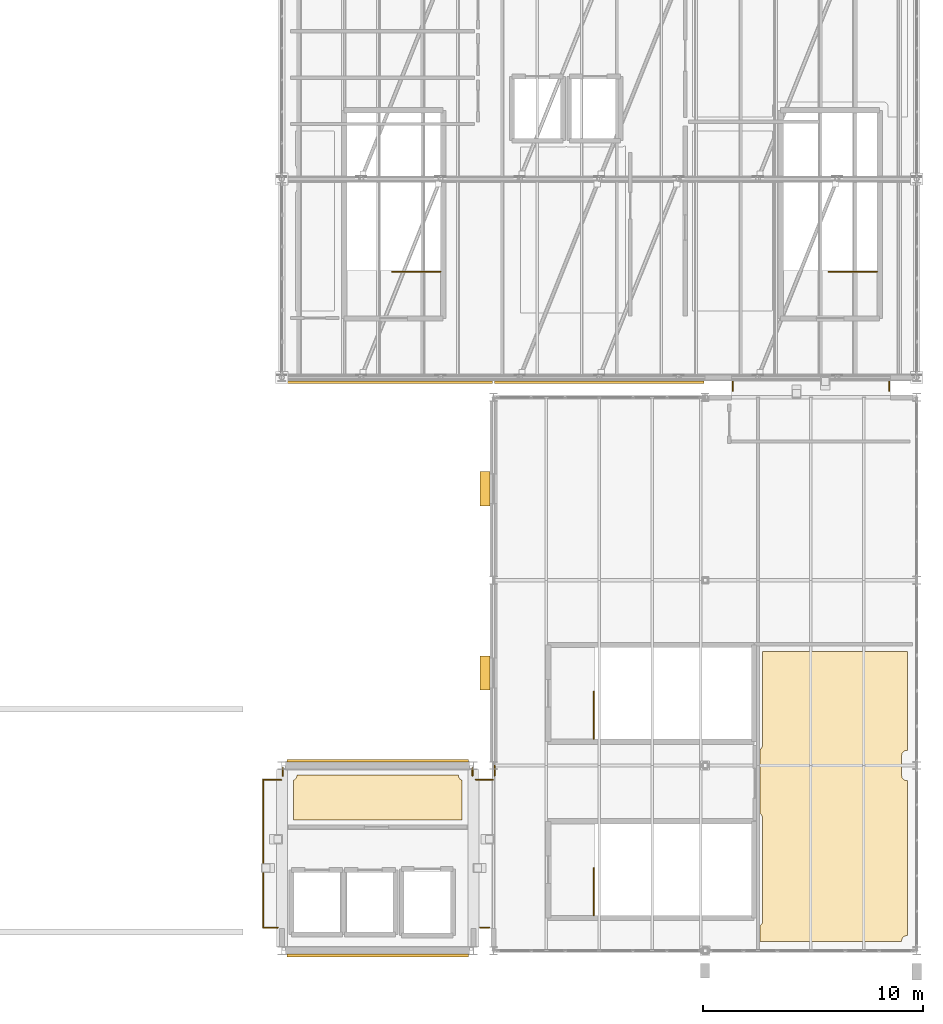
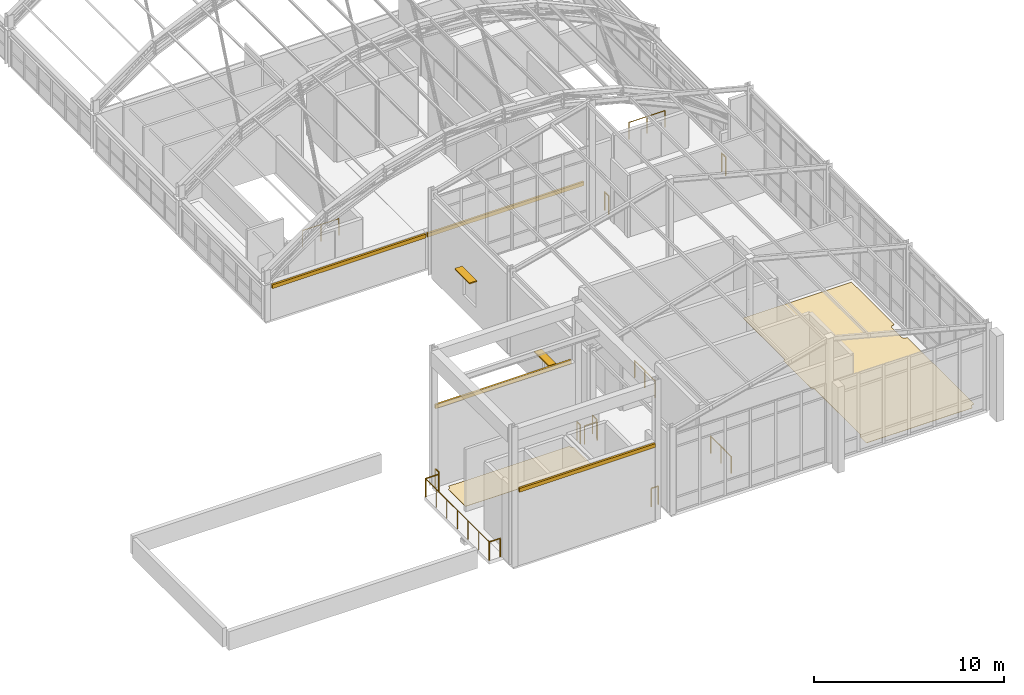
# One storey, part 119 of 121: 14 railings, 6 coverings, 2 shading devices.
"""IFC4 building model written with IfcOpenShell, lengths in metres."""

from ifc_helpers import new_model, si_unit, direction, frame, origin, origin_2d, place, context, subcontext, project, spatial, polyline, rectangle, circle, outline, extrude, material, layer, layer_set, type_object, element, save


model = new_model("IFC4")

# Units and contexts
model_context = context("Model", 3, precision=1e-05, world=origin(), true_north=direction((0.0, 1.0)))
body_context = subcontext(model_context, "Body", "Model", "MODEL_VIEW")
ifc_project = project(units=[si_unit("LENGTHUNIT", "METRE"), si_unit("AREAUNIT", "SQUARE_METRE"), si_unit("VOLUMEUNIT", "CUBIC_METRE"), si_unit("PLANEANGLEUNIT", "RADIAN"), si_unit("MASSUNIT", "GRAM", prefix="KILO")], contexts=[model_context])

# Site, building, storey
site_placement = place(None, origin())
site = spatial("IfcSite", under=ifc_project, at=site_placement, CompositionType="ELEMENT")
building_placement = place(site_placement, origin())
building = spatial("IfcBuilding", under=site, at=building_placement, Name="Canglan Escarpment Cableway Terminal", CompositionType="ELEMENT")
storey_placement = place(building_placement, frame((0.0, 0.0, 24.60009765625)))
storey = spatial("IfcBuildingStorey", under=building, at=storey_placement, Name="L05", CompositionType="ELEMENT", Elevation=24.60009765625)

# Coverings
ifc_material_1 = material(Name="Carved classical limestone cornice", Category="masonry")
ifc_layer_1 = layer(ifc_material_1, 0.1201171875, Name="Carved classical limestone cornice")
ifc_layer_set_1 = layer_set([ifc_layer_1], Name="Carved classical limestone cornice")
covering_type_1 = type_object("IfcCoveringType", Name="COV-CORNICE-STONE", PredefinedType="CLADDING", material=ifc_layer_set_1)
for number, where, z_axis, x_axis, name in (
    (1, (141.949951171875, 7.780029296875, 4.7900390625), (0.0, 0.0, 1.0), (1.0, 0.0, 0.0), "Classical carved limestone cornice CL-01"),
    (2, (141.949951171875, 16.6201171875, 4.7900390625), (0.0, 0.0, 1.0), (-1.0, 0.0, 0.0), "Classical carved limestone cornice CL-01"),
):
    element("IfcCovering", number, at=place(storey_placement, frame(where, z_axis=z_axis, x_axis=x_axis)), inside=storey, type_object=covering_type_1, Name=name, PredefinedType="CLADDING", context=body_context, shape_type="SweptSolid", body=[
        extrude(rectangle(XDim=8.25, YDim=0.1201171875, at=origin_2d()), origin(), (0.0, 0.0, 1.0), 0.239990234375),
    ])
covering_1_placement = place(storey_placement, frame((142.487548828125, 33.780029296875, 2.08984375), z_axis=(0.0, 0.0, 1.0), x_axis=(1.0, 0.0, 0.0)))
element("IfcCovering", 3, at=covering_1_placement, inside=storey, type_object=covering_type_1, Name="Classical carved limestone cornice CL-01", PredefinedType="CLADDING", context=body_context, shape_type="SweptSolid", body=[
    extrude(rectangle(XDim=9.324951171875, YDim=0.1201171875, at=origin_2d()), origin(), (0.0, 0.0, 1.0), 0.239990234375),
])
covering_2_placement = place(storey_placement, frame((152.0, 33.780029296875, 2.08984375), z_axis=(0.0, 0.0, 1.0), x_axis=(1.0, 0.0, 0.0)))
element("IfcCovering", 4, at=covering_2_placement, inside=storey, type_object=covering_type_1, Name="Classical carved limestone cornice CL-01", PredefinedType="CLADDING", context=body_context, shape_type="SweptSolid", body=[
    extrude(rectangle(XDim=9.5, YDim=0.1201171875, at=origin_2d()), origin(), (0.0, 0.0, 1.0), 0.239990234375),
])
ifc_material_2 = material(Name="Honed Sichuan grey granite flooring", Category="masonry")
ifc_layer_2 = layer(ifc_material_2, 0.02001953125, Name="Honed Sichuan grey granite flooring")
ifc_layer_set_2 = layer_set([ifc_layer_2], Name="Honed Sichuan grey granite flooring")
covering_type_2 = type_object("IfcCoveringType", Name="COV-FLR-GRANITE-20", PredefinedType="FLOORING", material=ifc_layer_set_2)
covering_3_placement = place(storey_placement, origin())
element("IfcCovering", 5, at=covering_3_placement, inside=storey, type_object=covering_type_2, Name="Summit Emergency Broadcast Room stone floor finish", PredefinedType="FLOORING", context=body_context, shape_type="SweptSolid", body=[
    extrude(outline(polyline([(138.139892578125, 13.919921875), (138.137939453125, 13.920166015625), (138.135986328125, 13.92041015625), (138.13427734375, 13.9208984375), (138.13232421875, 13.92138671875), (138.130615234375, 13.92236328125), (138.12890625, 13.92333984375), (138.127197265625, 13.924560546875), (138.1259765625, 13.92578125), (138.12451171875, 13.92724609375), (138.123291015625, 13.928955078125), (138.122314453125, 13.9306640625), (138.12158203125, 13.932373046875), (138.120849609375, 13.93408203125), (138.120361328125, 13.93603515625), (138.1201171875, 13.93798828125), (138.1201171875, 13.93994140625), (138.1201171875, 15.714111328125), (138.1201171875, 15.7158203125), (138.120361328125, 15.7177734375), (138.120849609375, 15.719482421875), (138.121337890625, 15.721435546875), (138.122314453125, 15.72314453125), (138.123046875, 15.724609375), (138.124267578125, 15.726318359375), (138.12548828125, 15.727783203125), (138.126708984375, 15.72900390625), (138.12841796875, 15.730224609375), (138.1298828125, 15.731201171875), (138.131591796875, 15.732177734375), (138.13330078125, 15.73291015625), (138.143798828125, 15.736572265625), (138.14453125, 15.737060546875), (138.163330078125, 15.745849609375), (138.1640625, 15.74609375), (138.181884765625, 15.7568359375), (138.1826171875, 15.75732421875), (138.19921875, 15.76953125), (138.199951171875, 15.770263671875), (138.215087890625, 15.7841796875), (138.2158203125, 15.784912109375), (138.229736328125, 15.800048828125), (138.23046875, 15.80078125), (138.24267578125, 15.8173828125), (138.2431640625, 15.818115234375), (138.25390625, 15.8359375), (138.254150390625, 15.836669921875), (138.262939453125, 15.85546875), (138.263427734375, 15.856201171875), (138.2705078125, 15.875732421875), (138.2705078125, 15.876708984375), (138.275634765625, 15.896484375), (138.27587890625, 15.897705078125), (138.27880859375, 15.91796875), (138.279052734375, 15.9189453125), (138.280029296875, 15.939697265625), (138.280029296875, 15.940185546875), (138.280029296875, 15.9599609375), (138.280029296875, 15.9619140625), (138.280517578125, 15.9638671875), (138.281005859375, 15.9658203125), (138.281494140625, 15.9677734375), (138.282470703125, 15.969482421875), (138.283447265625, 15.97119140625), (138.284423828125, 15.97265625), (138.285888671875, 15.97412109375), (138.287353515625, 15.9755859375), (138.288818359375, 15.9765625), (138.29052734375, 15.9775390625), (138.292236328125, 15.978515625), (138.294189453125, 15.97900390625), (138.296142578125, 15.9794921875), (138.298095703125, 15.97998046875), (138.300048828125, 15.97998046875), (145.60009765625, 15.97998046875), (145.60205078125, 15.97998046875), (145.60400390625, 15.9794921875), (145.605712890625, 15.97900390625), (145.607666015625, 15.978515625), (145.609375, 15.9775390625), (145.611083984375, 15.9765625), (145.61279296875, 15.9755859375), (145.614013671875, 15.97412109375), (145.615478515625, 15.97265625), (145.61669921875, 15.97119140625), (145.61767578125, 15.969482421875), (145.618408203125, 15.9677734375), (145.619140625, 15.9658203125), (145.61962890625, 15.9638671875), (145.619873046875, 15.9619140625), (145.6201171875, 15.9599609375), (145.6201171875, 15.940185546875), (145.6201171875, 15.939697265625), (145.62109375, 15.9189453125), (145.62109375, 15.91796875), (145.624267578125, 15.897705078125), (145.624267578125, 15.896484375), (145.62939453125, 15.876708984375), (145.629638671875, 15.875732421875), (145.63671875, 15.856201171875), (145.636962890625, 15.85546875), (145.645751953125, 15.836669921875), (145.646240234375, 15.8359375), (145.65673828125, 15.818115234375), (145.657470703125, 15.8173828125), (145.669677734375, 15.80078125), (145.67041015625, 15.800048828125), (145.68408203125, 15.784912109375), (145.684814453125, 15.7841796875), (145.7001953125, 15.770263671875), (145.70068359375, 15.76953125), (145.71728515625, 15.75732421875), (145.71826171875, 15.7568359375), (145.73583984375, 15.74609375), (145.73681640625, 15.745849609375), (145.75537109375, 15.737060546875), (145.75634765625, 15.736572265625), (145.7666015625, 15.73291015625), (145.7685546875, 15.732177734375), (145.770263671875, 15.731201171875), (145.771728515625, 15.730224609375), (145.773193359375, 15.72900390625), (145.774658203125, 15.727783203125), (145.77587890625, 15.726318359375), (145.77685546875, 15.724609375), (145.77783203125, 15.72314453125), (145.778564453125, 15.721435546875), (145.779296875, 15.719482421875), (145.779541015625, 15.7177734375), (145.77978515625, 15.7158203125), (145.780029296875, 15.714111328125), (145.780029296875, 13.93994140625), (145.77978515625, 13.93798828125), (145.779541015625, 13.93603515625), (145.779052734375, 13.93408203125), (145.778564453125, 13.932373046875), (145.777587890625, 13.9306640625), (145.776611328125, 13.928955078125), (145.775390625, 13.92724609375), (145.774169921875, 13.92578125), (145.772705078125, 13.924560546875), (145.77099609375, 13.92333984375), (145.769287109375, 13.92236328125), (145.767578125, 13.92138671875), (145.765869140625, 13.9208984375), (145.763916015625, 13.92041015625), (145.761962890625, 13.920166015625), (145.760009765625, 13.919921875), (138.139892578125, 13.919921875)])), origin(), (0.0, 0.0, 1.0), 0.02001953125),
])
ifc_material_3 = material(Name="Polished mineral terrazzo flooring", Category="concrete")
ifc_layer_3 = layer(ifc_material_3, 0.02001953125, Name="Polished mineral terrazzo flooring")
ifc_layer_set_3 = layer_set([ifc_layer_3], Name="Polished mineral terrazzo flooring")
covering_type_3 = type_object("IfcCoveringType", Name="COV-FLR-TERRAZZO-20", PredefinedType="FLOORING", material=ifc_layer_set_3)
covering_4_placement = place(storey_placement, origin())
element("IfcCovering", 6, at=covering_4_placement, inside=storey, type_object=covering_type_3, Name="Private Dining Suite stone floor finish", PredefinedType="FLOORING", context=body_context, shape_type="SweptSolid", body=[
    extrude(outline(polyline([(159.280029296875, 9.1123046875), (159.280029296875, 9.114501953125), (159.280517578125, 9.116455078125), (159.281005859375, 9.118408203125), (159.28173828125, 9.120361328125), (159.28271484375, 9.122314453125), (159.28369140625, 9.1240234375), (159.284912109375, 9.12548828125), (159.286376953125, 9.127197265625), (159.2880859375, 9.12841796875), (159.289794921875, 9.129638671875), (159.3017578125, 9.13671875), (159.302490234375, 9.137451171875), (159.319091796875, 9.149658203125), (159.31982421875, 9.150390625), (159.335205078125, 9.1640625), (159.3359375, 9.164794921875), (159.349609375, 9.18017578125), (159.350341796875, 9.180908203125), (159.362548828125, 9.197509765625), (159.36328125, 9.1982421875), (159.373779296875, 9.2158203125), (159.374267578125, 9.216796875), (159.383056640625, 9.2353515625), (159.38330078125, 9.236328125), (159.390380859375, 9.255615234375), (159.390625, 9.256591796875), (159.395751953125, 9.276611328125), (159.395751953125, 9.277587890625), (159.39892578125, 9.298095703125), (159.39892578125, 9.298828125), (159.39990234375, 9.31982421875), (159.39990234375, 9.3203125), (159.39990234375, 14.02978515625), (159.39990234375, 14.0302734375), (159.39892578125, 14.051025390625), (159.39892578125, 14.052001953125), (159.395751953125, 14.072509765625), (159.395751953125, 14.073486328125), (159.390625, 14.093505859375), (159.390380859375, 14.09423828125), (159.38330078125, 14.11376953125), (159.383056640625, 14.114501953125), (159.374267578125, 14.13330078125), (159.373779296875, 14.134033203125), (159.36328125, 14.15185546875), (159.362548828125, 14.152587890625), (159.350341796875, 14.169189453125), (159.349609375, 14.169921875), (159.3359375, 14.185302734375), (159.335205078125, 14.185791015625), (159.31982421875, 14.19970703125), (159.319091796875, 14.200439453125), (159.302490234375, 14.212646484375), (159.3017578125, 14.213134765625), (159.289794921875, 14.220458984375), (159.2880859375, 14.2216796875), (159.286376953125, 14.222900390625), (159.284912109375, 14.224365234375), (159.28369140625, 14.22607421875), (159.28271484375, 14.227783203125), (159.28173828125, 14.2294921875), (159.281005859375, 14.2314453125), (159.280517578125, 14.2333984375), (159.280029296875, 14.235595703125), (159.280029296875, 14.237548828125), (159.280029296875, 17.1123046875), (159.280029296875, 17.1142578125), (159.280517578125, 17.1162109375), (159.28076171875, 17.117919921875), (159.281494140625, 17.11962890625), (159.2822265625, 17.12158203125), (159.283203125, 17.123046875), (159.2841796875, 17.12451171875), (159.285400390625, 17.126220703125), (159.28662109375, 17.12744140625), (159.2880859375, 17.12841796875), (159.289794921875, 17.129638671875), (159.3017578125, 17.13671875), (159.302490234375, 17.137451171875), (159.319091796875, 17.149658203125), (159.31982421875, 17.150390625), (159.335205078125, 17.1640625), (159.3359375, 17.164794921875), (159.349609375, 17.18017578125), (159.350341796875, 17.180908203125), (159.362548828125, 17.197509765625), (159.36328125, 17.1982421875), (159.373779296875, 17.2158203125), (159.374267578125, 17.216796875), (159.383056640625, 17.2353515625), (159.38330078125, 17.236328125), (159.390380859375, 17.255615234375), (159.390625, 17.256591796875), (159.395751953125, 17.276611328125), (159.395751953125, 17.277587890625), (159.39892578125, 17.298095703125), (159.39892578125, 17.298828125), (159.39990234375, 17.31982421875), (159.39990234375, 17.3203125), (159.39990234375, 21.56005859375), (159.400146484375, 21.56201171875), (159.400390625, 21.56396484375), (159.40087890625, 21.56591796875), (159.401611328125, 21.567626953125), (159.40234375, 21.5693359375), (159.4033203125, 21.571044921875), (159.404541015625, 21.57275390625), (159.406005859375, 21.57421875), (159.4072265625, 21.575439453125), (159.408935546875, 21.57666015625), (159.41064453125, 21.57763671875), (159.412353515625, 21.57861328125), (159.414306640625, 21.5791015625), (159.416015625, 21.57958984375), (159.41796875, 21.579833984375), (159.419921875, 21.580078125), (165.9599609375, 21.580078125), (165.9619140625, 21.579833984375), (165.9638671875, 21.57958984375), (165.9658203125, 21.5791015625), (165.9677734375, 21.57861328125), (165.969482421875, 21.57763671875), (165.97119140625, 21.57666015625), (165.97265625, 21.575439453125), (165.97412109375, 21.57421875), (165.9755859375, 21.57275390625), (165.9765625, 21.571044921875), (165.9775390625, 21.5693359375), (165.978515625, 21.567626953125), (165.97900390625, 21.56591796875), (165.9794921875, 21.56396484375), (165.97998046875, 21.56201171875), (165.97998046875, 21.56005859375), (165.97998046875, 17.10009765625), (165.97998046875, 17.097900390625), (165.9794921875, 17.09619140625), (165.97900390625, 17.09423828125), (165.978515625, 17.09228515625), (165.9775390625, 17.090576171875), (165.9765625, 17.0888671875), (165.9755859375, 17.08740234375), (165.97412109375, 17.0859375), (165.97265625, 17.08447265625), (165.97119140625, 17.08349609375), (165.969482421875, 17.08251953125), (165.9677734375, 17.08154296875), (165.9658203125, 17.080810546875), (165.9638671875, 17.080322265625), (165.9619140625, 17.080078125), (165.9599609375, 17.080078125), (165.940185546875, 17.080078125), (165.939697265625, 17.080078125), (165.9189453125, 17.0791015625), (165.91796875, 17.078857421875), (165.897705078125, 17.07568359375), (165.896484375, 17.07568359375), (165.876708984375, 17.070556640625), (165.875732421875, 17.0703125), (165.856201171875, 17.0634765625), (165.85546875, 17.06298828125), (165.836669921875, 17.05419921875), (165.8359375, 17.0537109375), (165.818115234375, 17.043212890625), (165.8173828125, 17.04248046875), (165.80078125, 17.030517578125), (165.800048828125, 17.02978515625), (165.784912109375, 17.015869140625), (165.7841796875, 17.01513671875), (165.770263671875, 17.0), (165.76953125, 16.999267578125), (165.75732421875, 16.982666015625), (165.7568359375, 16.981689453125), (165.74609375, 16.964111328125), (165.745849609375, 16.96337890625), (165.737060546875, 16.944580078125), (165.736572265625, 16.943603515625), (165.7294921875, 16.92431640625), (165.7294921875, 16.92333984375), (165.724365234375, 16.9033203125), (165.72412109375, 16.90234375), (165.72119140625, 16.882080078125), (165.720947265625, 16.881103515625), (165.719970703125, 16.860107421875), (165.719970703125, 16.85986328125), (165.719970703125, 15.940185546875), (165.719970703125, 15.939697265625), (165.720947265625, 15.9189453125), (165.72119140625, 15.91796875), (165.72412109375, 15.897705078125), (165.724365234375, 15.896484375), (165.7294921875, 15.876708984375), (165.7294921875, 15.875732421875), (165.736572265625, 15.856201171875), (165.737060546875, 15.85546875), (165.745849609375, 15.836669921875), (165.74609375, 15.8359375), (165.7568359375, 15.818115234375), (165.75732421875, 15.8173828125), (165.76953125, 15.80078125), (165.770263671875, 15.800048828125), (165.7841796875, 15.784912109375), (165.784912109375, 15.7841796875), (165.800048828125, 15.770263671875), (165.80078125, 15.76953125), (165.8173828125, 15.75732421875), (165.818115234375, 15.7568359375), (165.8359375, 15.74609375), (165.836669921875, 15.745849609375), (165.85546875, 15.737060546875), (165.856201171875, 15.736572265625), (165.875732421875, 15.7294921875), (165.876708984375, 15.7294921875), (165.896484375, 15.724365234375), (165.897705078125, 15.72412109375), (165.91796875, 15.72119140625), (165.9189453125, 15.720947265625), (165.939697265625, 15.719970703125), (165.940185546875, 15.719970703125), (165.9599609375, 15.719970703125), (165.9619140625, 15.719970703125), (165.9638671875, 15.719482421875), (165.9658203125, 15.718994140625), (165.9677734375, 15.718505859375), (165.969482421875, 15.717529296875), (165.97119140625, 15.716552734375), (165.97265625, 15.715576171875), (165.97412109375, 15.714111328125), (165.9755859375, 15.712646484375), (165.9765625, 15.711181640625), (165.9775390625, 15.70947265625), (165.978515625, 15.707763671875), (165.97900390625, 15.705810546875), (165.9794921875, 15.703857421875), (165.97998046875, 15.701904296875), (165.97998046875, 15.699951171875), (165.97998046875, 8.699951171875), (165.97998046875, 8.697998046875), (165.9794921875, 8.696044921875), (165.97900390625, 8.694091796875), (165.978515625, 8.6923828125), (165.9775390625, 8.690673828125), (165.9765625, 8.68896484375), (165.9755859375, 8.687255859375), (165.97412109375, 8.685791015625), (165.97265625, 8.6845703125), (165.97119140625, 8.683349609375), (165.969482421875, 8.682373046875), (165.9677734375, 8.681396484375), (165.9658203125, 8.680908203125), (165.9638671875, 8.680419921875), (165.9619140625, 8.68017578125), (165.9599609375, 8.679931640625), (165.940185546875, 8.679931640625), (165.939697265625, 8.679931640625), (165.9189453125, 8.678955078125), (165.91796875, 8.678955078125), (165.897705078125, 8.67578125), (165.896484375, 8.67578125), (165.876708984375, 8.670654296875), (165.875732421875, 8.67041015625), (165.856201171875, 8.663330078125), (165.85546875, 8.6630859375), (165.836669921875, 8.654296875), (165.8359375, 8.65380859375), (165.818115234375, 8.643310546875), (165.8173828125, 8.642578125), (165.80078125, 8.63037109375), (165.800048828125, 8.629638671875), (165.784912109375, 8.615966796875), (165.7841796875, 8.615234375), (165.770263671875, 8.599853515625), (165.76953125, 8.59912109375), (165.75732421875, 8.58251953125), (165.7568359375, 8.581787109375), (165.74609375, 8.564208984375), (165.745849609375, 8.563232421875), (165.737060546875, 8.544677734375), (165.736572265625, 8.543701171875), (165.7294921875, 8.5244140625), (165.7294921875, 8.5234375), (165.724365234375, 8.50341796875), (165.72412109375, 8.50244140625), (165.72119140625, 8.48193359375), (165.720947265625, 8.481201171875), (165.719970703125, 8.460205078125), (165.719970703125, 8.459716796875), (165.719970703125, 8.43994140625), (165.719970703125, 8.43798828125), (165.719482421875, 8.43603515625), (165.718994140625, 8.43408203125), (165.718505859375, 8.432373046875), (165.717529296875, 8.4306640625), (165.716552734375, 8.428955078125), (165.715576171875, 8.42724609375), (165.714111328125, 8.42578125), (165.712646484375, 8.424560546875), (165.711181640625, 8.42333984375), (165.70947265625, 8.42236328125), (165.707763671875, 8.42138671875), (165.705810546875, 8.4208984375), (165.703857421875, 8.42041015625), (165.701904296875, 8.420166015625), (165.699951171875, 8.419921875), (159.300048828125, 8.419921875), (159.298095703125, 8.420166015625), (159.296142578125, 8.42041015625), (159.294189453125, 8.4208984375), (159.292236328125, 8.42138671875), (159.29052734375, 8.42236328125), (159.288818359375, 8.42333984375), (159.287353515625, 8.424560546875), (159.285888671875, 8.42578125), (159.284423828125, 8.42724609375), (159.283447265625, 8.428955078125), (159.282470703125, 8.4306640625), (159.281494140625, 8.432373046875), (159.281005859375, 8.43408203125), (159.280517578125, 8.43603515625), (159.280029296875, 8.43798828125), (159.280029296875, 8.43994140625), (159.280029296875, 9.1123046875)])), origin(), (0.0, 0.0, 1.0), 0.02001953125),
])

# Railings
ifc_material_4 = material(Name="Carved limestone and anodized bronze balustrade", Category="masonry")
railing_type_1 = type_object("IfcRailingType", Name="RL-EXT-BALUSTRADE-1200", PredefinedType="BALUSTRADE", material=ifc_material_4)
railing_1_placement = place(storey_placement, frame((136.75, 9.050048828125, 0.0)))
element("IfcRailing", 7, at=railing_1_placement, inside=storey, type_object=railing_type_1, Name="Classical terrace balustrade guard GD-01 (L05)", PredefinedType="BALUSTRADE", context=body_context, shape_type="SweptSolid", body=[
    extrude(circle(Radius=0.02392578125, at=origin_2d()), frame((0.0, 0.0, 1.17578125), z_axis=(0.0, 1.0, 0.0), x_axis=(-1.0, 0.0, 0.0)), (0.0, 0.0, 1.0), 6.697998046875),
    extrude(circle(Radius=0.02099609375, at=origin_2d()), origin(), (0.0, 0.0, 1.0), 1.15185546875),
    extrude(circle(Radius=0.02099609375, at=origin_2d()), frame((0.0, 1.1162109375, 0.0)), (0.0, 0.0, 1.0), 1.15185546875),
    extrude(circle(Radius=0.02099609375, at=origin_2d()), frame((0.0, 2.232666015625, 0.0)), (0.0, 0.0, 1.0), 1.15185546875),
    extrude(circle(Radius=0.02099609375, at=origin_2d()), frame((0.0, 3.34912109375, 0.0)), (0.0, 0.0, 1.0), 1.15185546875),
    extrude(circle(Radius=0.02099609375, at=origin_2d()), frame((0.0, 4.46533203125, 0.0)), (0.0, 0.0, 1.0), 1.15185546875),
    extrude(circle(Radius=0.02099609375, at=origin_2d()), frame((0.0, 5.58154296875, 0.0)), (0.0, 0.0, 1.0), 1.15185546875),
    extrude(circle(Radius=0.02099609375, at=origin_2d()), frame((0.0, 6.697998046875, 0.0)), (0.0, 0.0, 1.0), 1.15185546875),
])
railing_2_placement = place(storey_placement, frame((136.75, 15.748046875, 0.0)))
element("IfcRailing", 8, at=railing_2_placement, inside=storey, type_object=railing_type_1, Name="Classical terrace balustrade guard GD-01 (L05)", PredefinedType="BALUSTRADE", context=body_context, shape_type="SweptSolid", body=[
    extrude(circle(Radius=0.02392578125, at=origin_2d()), frame((0.0, 0.0, 1.17578125), z_axis=(0.999997163857, 0.002381654454, 0.0), x_axis=(-0.002381654454, 0.999997163857, 0.0)), (0.0, 0.0, 1.0), 0.820068359375),
    extrude(circle(Radius=0.02099609375, at=origin_2d()), origin(), (0.0, 0.0, 1.0), 1.15185546875),
    extrude(circle(Radius=0.02099609375, at=origin_2d()), frame((0.820068359375, 0.001953125, 0.0)), (0.0, 0.0, 1.0), 1.15185546875),
])
railing_3_placement = place(storey_placement, frame((137.64990234375, 15.929931640625, 0.0)))
element("IfcRailing", 9, at=railing_3_placement, inside=storey, type_object=railing_type_1, Name="Classical terrace balustrade guard GD-01 (L05)", PredefinedType="BALUSTRADE", context=body_context, shape_type="SweptSolid", body=[
    extrude(circle(Radius=0.02392578125, at=origin_2d()), frame((0.0, 0.0, 1.17578125), z_axis=(0.0, 1.0, 0.0), x_axis=(-1.0, 0.0, 0.0)), (0.0, 0.0, 1.0), 0.356201171875),
    extrude(circle(Radius=0.02099609375, at=origin_2d()), origin(), (0.0, 0.0, 1.0), 1.15185546875),
    extrude(circle(Radius=0.02099609375, at=origin_2d()), frame((0.0, 0.356201171875, 0.0)), (0.0, 0.0, 1.0), 1.15185546875),
])
railing_4_placement = place(storey_placement, frame((146.25, 16.2861328125, 0.0)))
element("IfcRailing", 10, at=railing_4_placement, inside=storey, type_object=railing_type_1, Name="Classical terrace balustrade guard GD-01 (L05)", PredefinedType="BALUSTRADE", context=body_context, shape_type="SweptSolid", body=[
    extrude(circle(Radius=0.02392578125, at=origin_2d()), frame((0.0, 0.0, 1.17578125), z_axis=(0.0, -1.0, 0.0), x_axis=(1.0, 0.0, 0.0)), (0.0, 0.0, 1.0), 0.356201171875),
    extrude(circle(Radius=0.02099609375, at=origin_2d()), origin(), (0.0, 0.0, 1.0), 1.15185546875),
    extrude(circle(Radius=0.02099609375, at=origin_2d()), frame((0.0, -0.356201171875, 0.0)), (0.0, 0.0, 1.0), 1.15185546875),
])
railing_5_placement = place(storey_placement, frame((146.3994140625, 15.756103515625, 0.0)))
element("IfcRailing", 11, at=railing_5_placement, inside=storey, type_object=railing_type_1, Name="Classical terrace balustrade guard GD-01 (L05)", PredefinedType="BALUSTRADE", context=body_context, shape_type="SweptSolid", body=[
    extrude(circle(Radius=0.02392578125, at=origin_2d()), frame((0.0, 0.0, 1.17578125), z_axis=(0.999968627033, -0.007921171, 0.0), x_axis=(0.007921171, 0.999968627033, 0.0)), (0.0, 0.0, 1.0), 0.7705078125),
    extrude(circle(Radius=0.02099609375, at=origin_2d()), origin(), (0.0, 0.0, 1.0), 1.15185546875),
    extrude(circle(Radius=0.02099609375, at=origin_2d()), frame((0.7705078125, -0.006103515625, 0.0)), (0.0, 0.0, 1.0), 1.15185546875),
])
railing_6_placement = place(storey_placement, frame((147.25, 15.929931640625, 0.0)))
element("IfcRailing", 12, at=railing_6_placement, inside=storey, type_object=railing_type_1, Name="Classical terrace balustrade guard GD-01 (L05)", PredefinedType="BALUSTRADE", context=body_context, shape_type="SweptSolid", body=[
    extrude(circle(Radius=0.02392578125, at=origin_2d()), frame((0.0, 0.0, 1.17578125), z_axis=(0.0, 1.0, 0.0), x_axis=(-1.0, 0.0, 0.0)), (0.0, 0.0, 1.0), 0.455078125),
    extrude(circle(Radius=0.02099609375, at=origin_2d()), origin(), (0.0, 0.0, 1.0), 1.15185546875),
    extrude(circle(Radius=0.02099609375, at=origin_2d()), frame((0.0, 0.455078125, 0.0)), (0.0, 0.0, 1.0), 1.15185546875),
])
railing_7_placement = place(storey_placement, frame((158.050048828125, 33.389892578125, 0.0)))
element("IfcRailing", 13, at=railing_7_placement, inside=storey, type_object=railing_type_1, Name="Classical terrace balustrade guard GD-01 (L05)", PredefinedType="BALUSTRADE", context=body_context, shape_type="SweptSolid", body=[
    extrude(circle(Radius=0.02392578125, at=origin_2d()), frame((0.0, 0.0, 1.17578125), z_axis=(0.0, 1.0, 0.0), x_axis=(-1.0, 0.0, 0.0)), (0.0, 0.0, 1.0), 0.420166015625),
    extrude(circle(Radius=0.02099609375, at=origin_2d()), origin(), (0.0, 0.0, 1.0), 1.15185546875),
    extrude(circle(Radius=0.02099609375, at=origin_2d()), frame((0.0, 0.420166015625, 0.0)), (0.0, 0.0, 1.0), 1.15185546875),
])
railing_8_placement = place(storey_placement, frame((165.14990234375, 33.81005859375, 0.0)))
element("IfcRailing", 14, at=railing_8_placement, inside=storey, type_object=railing_type_1, Name="Classical terrace balustrade guard GD-01 (L05)", PredefinedType="BALUSTRADE", context=body_context, shape_type="SweptSolid", body=[
    extrude(circle(Radius=0.02392578125, at=origin_2d()), frame((0.0, 0.0, 1.17578125), z_axis=(0.0, -1.0, 0.0), x_axis=(1.0, 0.0, 0.0)), (0.0, 0.0, 1.0), 0.420166015625),
    extrude(circle(Radius=0.02099609375, at=origin_2d()), origin(), (0.0, 0.0, 1.0), 1.15185546875),
    extrude(circle(Radius=0.02099609375, at=origin_2d()), frame((0.0, -0.420166015625, 0.0)), (0.0, 0.0, 1.0), 1.15185546875),
])
railing_9_placement = place(storey_placement, frame((147.010009765625, 9.050048828125, 0.0)))
element("IfcRailing", 15, at=railing_9_placement, inside=storey, type_object=railing_type_1, Name="Classical terrace balustrade guard GD-01 (L05)", PredefinedType="BALUSTRADE", context=body_context, shape_type="SweptSolid", body=[
    extrude(circle(Radius=0.02392578125, at=origin_2d()), frame((0.0, 0.0, 1.17578125), z_axis=(-1.0, 0.0, 0.0), x_axis=(0.0, -1.0, 0.0)), (0.0, 0.0, 1.0), 0.419921875),
    extrude(circle(Radius=0.02099609375, at=origin_2d()), origin(), (0.0, 0.0, 1.0), 1.15185546875),
    extrude(circle(Radius=0.02099609375, at=origin_2d()), frame((-0.419921875, 0.0, 0.0)), (0.0, 0.0, 1.0), 1.15185546875),
])
railing_10_placement = place(storey_placement, frame((137.409912109375, 9.050048828125, 0.0)))
element("IfcRailing", 16, at=railing_10_placement, inside=storey, type_object=railing_type_1, Name="Classical terrace balustrade guard GD-01 (L05)", PredefinedType="BALUSTRADE", context=body_context, shape_type="SweptSolid", body=[
    extrude(circle(Radius=0.02392578125, at=origin_2d()), frame((0.0, 0.0, 1.17578125), z_axis=(-1.0, 0.0, 0.0), x_axis=(0.0, -1.0, 0.0)), (0.0, 0.0, 1.0), 0.657958984375),
    extrude(circle(Radius=0.02099609375, at=origin_2d()), origin(), (0.0, 0.0, 1.0), 1.15185546875),
    extrude(circle(Radius=0.02099609375, at=origin_2d()), frame((-0.657958984375, 0.0, 0.0)), (0.0, 0.0, 1.0), 1.15185546875),
])
ifc_material_5 = material(Name="Powder-coated steel stair balustrade", Category="steel")
railing_type_2 = type_object("IfcRailingType", Name="RL-STR-GUARD-1100", PredefinedType="BALUSTRADE", material=ifc_material_5)
for number, where, name in (
    (17, (151.75, 9.60009765625, 0.0), "L05 ST-08 top well guard 1"),
    (18, (151.75, 17.60009765625, 0.0), "L05 ST-09 top well guard 1"),
):
    element("IfcRailing", number, at=place(storey_placement, frame(where)), inside=storey, type_object=railing_type_2, Name=name, PredefinedType="BALUSTRADE", context=body_context, shape_type="SweptSolid", body=[
        extrude(circle(Radius=0.02392578125, at=origin_2d()), frame((0.0, 0.0, 1.076171875), z_axis=(0.0, 1.0, 0.0), x_axis=(-1.0, 0.0, 0.0)), (0.0, 0.0, 1.0), 2.14990234375),
        extrude(circle(Radius=0.02099609375, at=origin_2d()), origin(), (0.0, 0.0, 1.0), 1.052001953125),
        extrude(circle(Radius=0.02099609375, at=origin_2d()), frame((0.0, 1.074951171875, 0.0)), (0.0, 0.0, 1.0), 1.052001953125),
        extrude(circle(Radius=0.02099609375, at=origin_2d()), frame((0.0, 2.14990234375, 0.0)), (0.0, 0.0, 1.0), 1.052001953125),
    ])
railing_11_placement = place(storey_placement, frame((144.800048828125, 38.800048828125, 0.0)))
element("IfcRailing", 19, at=railing_11_placement, inside=storey, type_object=railing_type_2, Name="L05 ST-13 top well guard 1", PredefinedType="BALUSTRADE", context=body_context, shape_type="SweptSolid", body=[
    extrude(circle(Radius=0.02392578125, at=origin_2d()), frame((0.0, 0.0, 1.076171875), z_axis=(-1.0, 0.0, 0.0), x_axis=(0.0, -1.0, 0.0)), (0.0, 0.0, 1.0), 2.199951171875),
    extrude(circle(Radius=0.02099609375, at=origin_2d()), origin(), (0.0, 0.0, 1.0), 1.052001953125),
    extrude(circle(Radius=0.02099609375, at=origin_2d()), frame((-1.10009765625, 0.0, 0.0)), (0.0, 0.0, 1.0), 1.052001953125),
    extrude(circle(Radius=0.02099609375, at=origin_2d()), frame((-2.199951171875, 0.0, 0.0)), (0.0, 0.0, 1.0), 1.052001953125),
])
railing_12_placement = place(storey_placement, frame((164.60009765625, 38.800048828125, 0.0)))
element("IfcRailing", 20, at=railing_12_placement, inside=storey, type_object=railing_type_2, Name="L05 ST-15 top well guard 1", PredefinedType="BALUSTRADE", context=body_context, shape_type="SweptSolid", body=[
    extrude(circle(Radius=0.02392578125, at=origin_2d()), frame((0.0, 0.0, 1.076171875), z_axis=(-1.0, 0.0, 0.0), x_axis=(0.0, -1.0, 0.0)), (0.0, 0.0, 1.0), 2.2001953125),
    extrude(circle(Radius=0.02099609375, at=origin_2d()), origin(), (0.0, 0.0, 1.0), 1.052001953125),
    extrude(circle(Radius=0.02099609375, at=origin_2d()), frame((-1.10009765625, 0.0, 0.0)), (0.0, 0.0, 1.0), 1.052001953125),
    extrude(circle(Radius=0.02099609375, at=origin_2d()), frame((-2.2001953125, 0.0, 0.0)), (0.0, 0.0, 1.0), 1.052001953125),
])

# Shading devices
ifc_material_6 = material(Name="Anodized architectural bronze aluminium", Category="aluminium")
ifc_layer_4 = layer(ifc_material_6, 0.080078125, Name="Anodized architectural bronze aluminium")
ifc_layer_set_4 = layer_set([ifc_layer_4], Name="Anodized architectural bronze aluminium")
shading_device_type_1 = type_object("IfcShadingDeviceType", Name="SHD-BRONZE-LOUVRE-01", PredefinedType="JALOUSIE", material=ifc_layer_set_4)
shading_device_1_placement = place(storey_placement, frame((146.81494140625, 20.60009765625, 2.419921875), z_axis=(0.0, 0.0, 1.0), x_axis=(0.0, -1.0, 0.0)))
element("IfcShadingDevice", 21, at=shading_device_1_placement, inside=storey, type_object=shading_device_type_1, Name="Anodized bronze sun-shading brise-soleil SD-01", PredefinedType="JALOUSIE", context=body_context, shape_type="SweptSolid", body=[
    extrude(rectangle(XDim=1.550048828125, YDim=0.449951171875, at=origin_2d()), origin(), (0.0, 0.0, 1.0), 0.080078125),
])
ifc_layer_5 = layer(ifc_material_6, 0.10009765625, Name="Anodized architectural bronze aluminium")
ifc_layer_set_5 = layer_set([ifc_layer_5], Name="Anodized architectural bronze aluminium")
shading_device_type_2 = type_object("IfcShadingDeviceType", Name="SHD-BRONZE-LOUVRE-02", PredefinedType="JALOUSIE", material=ifc_layer_set_5)
shading_device_2_placement = place(storey_placement, frame((146.81494140625, 28.949951171875, 2.669921875), z_axis=(0.0, 0.0, 1.0), x_axis=(0.0, -1.0, 0.0)))
element("IfcShadingDevice", 22, at=shading_device_2_placement, inside=storey, type_object=shading_device_type_2, Name="Anodized bronze sun-shading brise-soleil SD-01", PredefinedType="JALOUSIE", context=body_context, shape_type="SweptSolid", body=[
    extrude(rectangle(XDim=1.550048828125, YDim=0.449951171875, at=origin_2d()), origin(), (0.0, 0.0, 1.0), 0.080078125),
])

save(model, "model.ifc")
